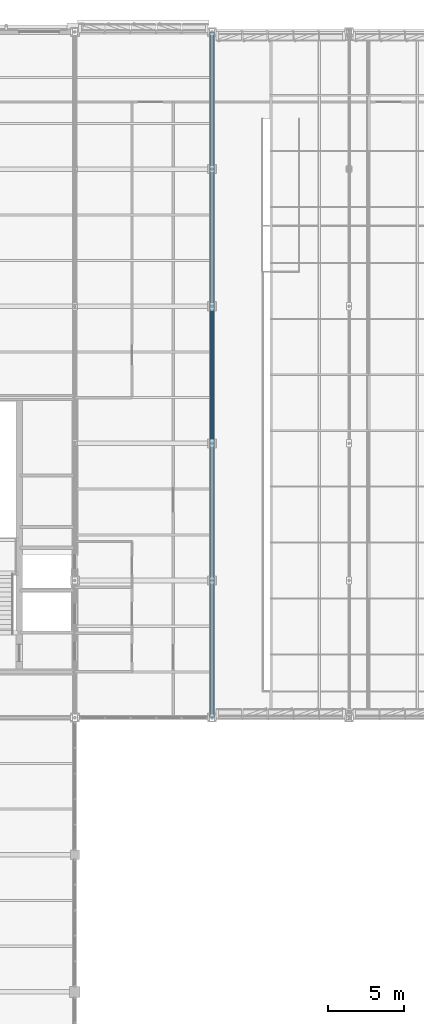
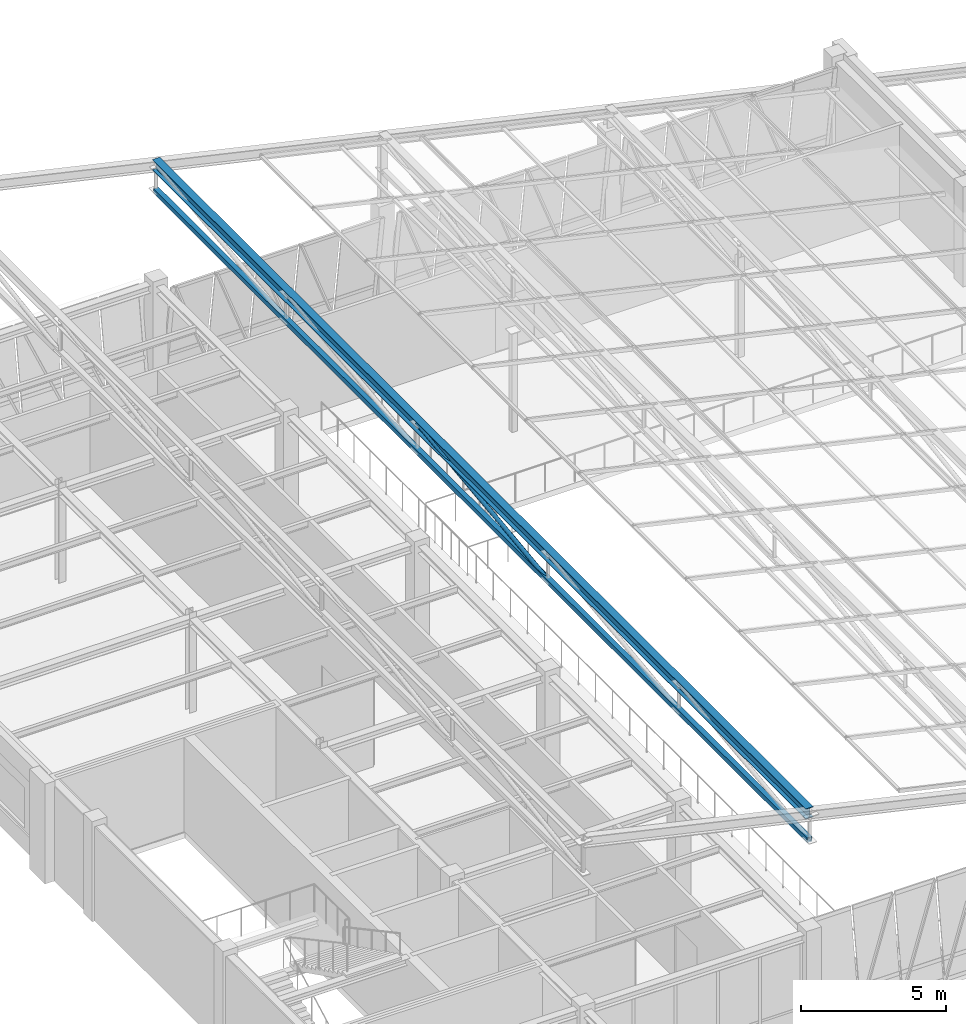
# One storey, part 68 of 130: 3 members.
"""IFC4 building model written with IfcOpenShell, lengths in metres."""

from ifc_helpers import new_model, si_unit, direction, frame, origin, origin_2d, place, context, subcontext, project, spatial, hollow_rectangle, hollow_circle, i_section, extrude, material, material_profile, profile_set, type_object, element, save


model = new_model("IFC4")

# Units and contexts
model_context = context("Model", 3, precision=1e-05, world=origin(), true_north=direction((0.0, 1.0)))
body_context = subcontext(model_context, "Body", "Model", "MODEL_VIEW")
ifc_project = project(units=[si_unit("LENGTHUNIT", "METRE"), si_unit("AREAUNIT", "SQUARE_METRE"), si_unit("VOLUMEUNIT", "CUBIC_METRE"), si_unit("PLANEANGLEUNIT", "RADIAN"), si_unit("MASSUNIT", "GRAM", prefix="KILO")], contexts=[model_context])

# Site, building, storey
site_placement = place(None, origin())
site = spatial("IfcSite", under=ifc_project, at=site_placement, CompositionType="ELEMENT")
building_placement = place(site_placement, origin())
building = spatial("IfcBuilding", under=site, at=building_placement, Name="Lykobir Media Centre", CompositionType="ELEMENT")
storey_placement = place(building_placement, frame((0.0, 0.0, 19.199951171875)))
storey = spatial("IfcBuildingStorey", under=building, at=storey_placement, Name="L04", CompositionType="ELEMENT", Elevation=19.199951171875)

# Members
ifc_material = material(Name="Steel S355", Category="steel")
ifc_material_profile_1 = material_profile(ifc_material, hollow_circle(Radius=0.084228515625, WallThickness=0.010009765625, at=origin_2d()), Name="CHS 168.3x10.0")
ifc_profile_set_1 = profile_set([ifc_material_profile_1], Name="Steel S355")
member_type_1 = type_object("IfcMemberType", Name="BR-CHS168", PredefinedType="BRACE", material=ifc_profile_set_1)
member_1_placement = place(storey_placement, frame((45.0, 81.0, 7.780029296875), z_axis=(0.0, 0.992343997404, 0.123504618601), x_axis=(-1.0, 0.0, 0.0)))
element("IfcMember", 1, at=member_1_placement, inside=storey, type_object=member_type_1, Name="Diagonal brace MEM2-L04-0450-0810-0270-0450-0900-0451", PredefinedType="BRACE", context=body_context, shape_type="SweptSolid", body=[
    extrude(hollow_circle(Radius=0.084228515625, WallThickness=0.010009765625, at=origin_2d()), origin(), (0.0, 0.0, 1.0), 9.0693359375),
])
ifc_material_profile_2 = material_profile(ifc_material, i_section(OverallWidth=0.300048828125, OverallDepth=0.43994140625, WebThickness=0.011474609375, FlangeThickness=0.02099609375, at=origin_2d()), Name="HEA 450")
ifc_profile_set_2 = profile_set([ifc_material_profile_2], Name="Steel S355")
member_type_2 = type_object("IfcMemberType", Name="TC-HEA450", PredefinedType="CHORD", material=ifc_profile_set_2)
member_2_placement = place(storey_placement, frame((45.0, 63.0, 8.900146484375), z_axis=(0.0, 1.0, 0.0), x_axis=(-1.0, 0.0, 0.0)))
element("IfcMember", 2, at=member_2_placement, inside=storey, type_object=member_type_2, Name="Truss chord MEM2-L04-0450-0630-0281-0450-1080-0444", PredefinedType="CHORD", context=body_context, shape_type="SweptSolid", body=[
    extrude(i_section(OverallWidth=0.300048828125, OverallDepth=0.43994140625, WebThickness=0.011474609375, FlangeThickness=0.02099609375, at=origin_2d()), origin(), (0.0, 0.0, 1.0), 45.0),
])
ifc_material_profile_3 = material_profile(ifc_material, hollow_rectangle(XDim=0.199951171875, YDim=0.199951171875, WallThickness=0.010009765625, at=origin_2d()), Name="SHS 200x200x10")
ifc_profile_set_3 = profile_set([ifc_material_profile_3], Name="Steel S355")
member_type_3 = type_object("IfcMemberType", Name="TC-SHS200", PredefinedType="CHORD", material=ifc_profile_set_3)
member_3_placement = place(storey_placement, frame((45.0, 63.0, 7.780029296875), z_axis=(0.0, 1.0, 0.0), x_axis=(-1.0, 0.0, 0.0)))
element("IfcMember", 3, at=member_3_placement, inside=storey, type_object=member_type_3, Name="Truss chord MEM2-L04-0450-0630-0270-0450-1080-0445", PredefinedType="CHORD", context=body_context, shape_type="SweptSolid", body=[
    extrude(hollow_rectangle(XDim=0.199951171875, YDim=0.199951171875, WallThickness=0.010009765625, at=origin_2d()), origin(), (0.0, 0.0, 1.0), 45.0),
])

save(model, "model.ifc")
